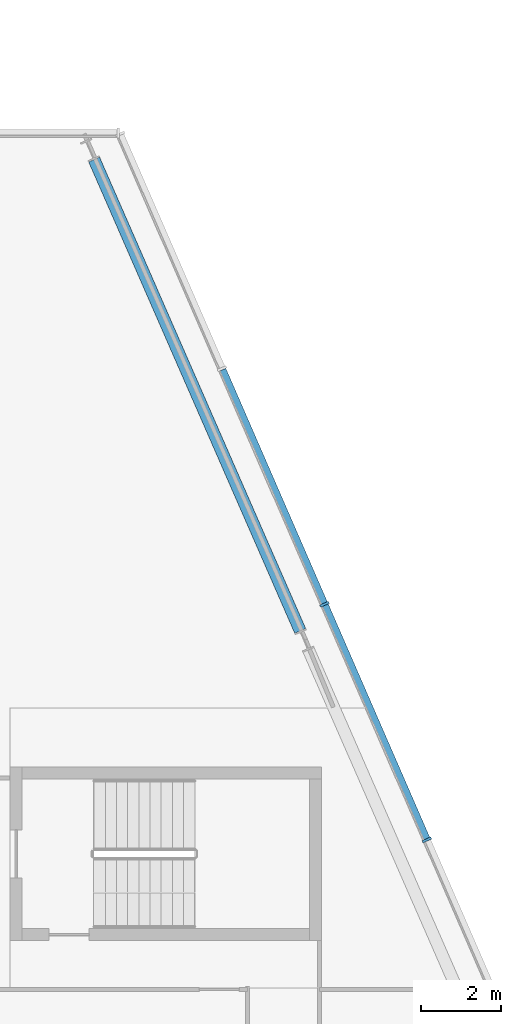
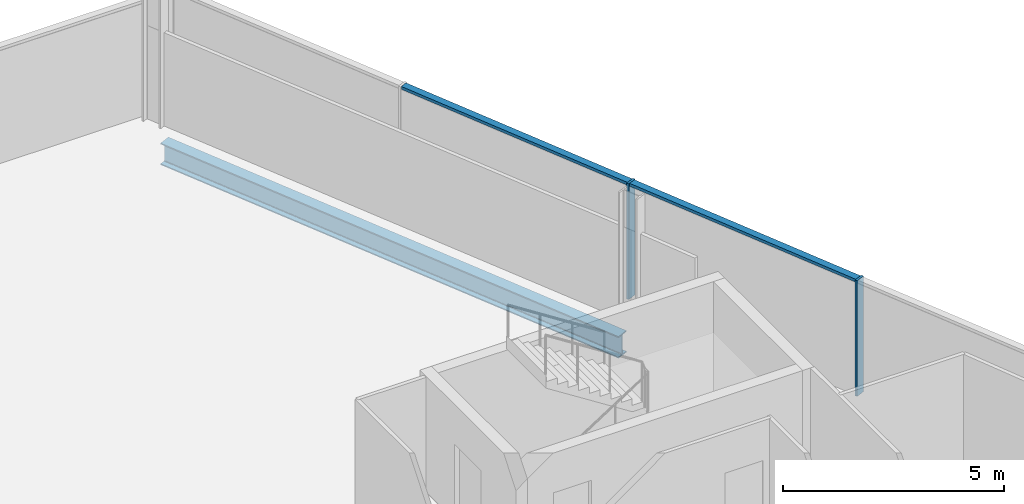
# One storey, part 8 of 22: 4 members, 1 beam, 1 element without a shape of its own.
"""IFC4 building model written with IfcOpenShell, lengths in metres."""

from ifc_helpers import new_model, si_unit, direction, frame, origin, origin_2d, place, context, subcontext, project, spatial, rectangle, i_section, extrude, material, material_profile, profile_set, type_object, element, aggregate, save


model = new_model("IFC4")

# Units and contexts
model_context = context("Model", 3, precision=1e-05, world=origin(), true_north=direction((0.0, 1.0)))
body_context = subcontext(model_context, "Body", "Model", "MODEL_VIEW")
ifc_project = project(units=[si_unit("LENGTHUNIT", "METRE"), si_unit("AREAUNIT", "SQUARE_METRE"), si_unit("VOLUMEUNIT", "CUBIC_METRE"), si_unit("PLANEANGLEUNIT", "RADIAN"), si_unit("MASSUNIT", "GRAM", prefix="KILO")], contexts=[model_context])

# Site, building, storey
site_placement = place(None, origin())
site = spatial("IfcSite", under=ifc_project, at=site_placement, CompositionType="ELEMENT")
building_placement = place(site_placement, origin())
building = spatial("IfcBuilding", under=site, at=building_placement, Name="Wharfspan Tower", CompositionType="ELEMENT")
storey_placement = place(building_placement, frame((0.0, 0.0, 246.699951)))
storey = spatial("IfcBuildingStorey", under=building, at=storey_placement, Name="L62", CompositionType="ELEMENT", Elevation=246.699951)

# Beam
ifc_material_1 = material(Name="Steel S355J2", Category="steel")
ifc_material_profile_1 = material_profile(ifc_material_1, i_section(OverallWidth=0.300049, OverallDepth=0.600098, WebThickness=0.015381, FlangeThickness=0.030029, FilletRadius=0.0271, at=origin_2d()))
ifc_profile_set_1 = profile_set([ifc_material_profile_1], Name="Steel S355J2")
beam_type = type_object("IfcBeamType", Name="Edge beam HEB 600", PredefinedType="SPANDREL", material=ifc_profile_set_1)
beam_placement = place(storey_placement, frame((74.13208, 29.53125, -0.699951), z_axis=(-0.400619, 0.916245, 0.0), x_axis=(-0.916245, -0.400619, 0.0)))
element("IfcBeam", 1, at=beam_placement, inside=storey, type_object=beam_type, Name="Edge beam E L62 PE.2 to PE.3", PredefinedType="SPANDREL", context=body_context, shape_type="SweptSolid", body=[
    extrude(i_section(OverallWidth=0.300049, OverallDepth=0.600098, WebThickness=0.015381, FlangeThickness=0.030029, FilletRadius=0.0271, at=origin_2d()), origin(), (0.0, 0.0, 1.0), 12.883545),
])

# Curtain wall, members
ifc_material_2 = material(Name="Aluminium 6063-T6", Category="aluminium")
curtain_wall_type = type_object("IfcCurtainWallType", Name="CURTAIN WALL PROW AND END", PredefinedType="NOTDEFINED", material=ifc_material_2)
curtain_wall_placement = place(storey_placement, origin())
curtain_wall = element("IfcCurtainWall", 2, at=curtain_wall_placement, inside=storey, type_object=curtain_wall_type, Name="Curtain wall E", PredefinedType="NOTDEFINED")
ifc_material_profile_2 = material_profile(ifc_material_2, rectangle(XDim=0.23999, YDim=0.060059, at=origin_2d()))
ifc_profile_set_2 = profile_set([ifc_material_profile_2], Name="Aluminium 6063-T6")
member_type_1 = type_object("IfcMemberType", Name="MULLION PROW AND END 60x240", PredefinedType="MULLION", material=ifc_profile_set_2)
member_1_placement = place(storey_placement, frame((77.304443, 24.300049, 0.0), z_axis=(0.0, 0.0, 1.0), x_axis=(-0.917072, -0.398727, 0.0)))
member_1 = element("IfcMember", 3, at=member_1_placement, type_object=member_type_1, Name="Curtain wall E mullion 4", PredefinedType="MULLION", context=body_context, shape_type="SweptSolid", body=[
    extrude(rectangle(XDim=0.23999, YDim=0.060059, at=origin_2d()), origin(), (0.0, 0.0, 1.0), 3.199951),
])
member_2_placement = place(storey_placement, frame((74.739014, 30.199951, 0.0), z_axis=(0.0, 0.0, 1.0), x_axis=(-0.917072, -0.398727, 0.0)))
member_2 = element("IfcMember", 4, at=member_2_placement, type_object=member_type_1, Name="Curtain wall E mullion 5", PredefinedType="MULLION", context=body_context, shape_type="SweptSolid", body=[
    extrude(rectangle(XDim=0.23999, YDim=0.060059, at=origin_2d()), origin(), (0.0, 0.0, 1.0), 3.199951),
])
ifc_material_profile_3 = material_profile(ifc_material_2, rectangle(XDim=0.179932, YDim=0.080078, at=origin_2d()))
ifc_profile_set_3 = profile_set([ifc_material_profile_3], Name="Aluminium 6063-T6")
member_type_2 = type_object("IfcMemberType", Name="TRANSOM PROW AND END 80x180", PredefinedType="USERDEFINED", material=ifc_profile_set_3)
member_3_placement = place(storey_placement, frame((77.29248, 24.327393, 3.160156), z_axis=(-0.39874, 0.917064, 0.0), x_axis=(-0.917064, -0.39874, 0.0)))
member_3 = element("IfcMember", 5, at=member_3_placement, type_object=member_type_2, Name="Curtain wall E transom 4", ObjectType="TRANSOM", PredefinedType="USERDEFINED", context=body_context, shape_type="SweptSolid", body=[
    extrude(rectangle(XDim=0.179932, YDim=0.080078, at=origin_2d()), origin(), (0.0, 0.0, 1.0), 6.373779),
])
member_4_placement = place(storey_placement, frame((74.727051, 30.227539, 3.160156), z_axis=(-0.398722, 0.917072, 0.0), x_axis=(-0.917072, -0.398722, 0.0)))
member_4 = element("IfcMember", 6, at=member_4_placement, type_object=member_type_2, Name="Curtain wall E transom 5", ObjectType="TRANSOM", PredefinedType="USERDEFINED", context=body_context, shape_type="SweptSolid", body=[
    extrude(rectangle(XDim=0.179932, YDim=0.080078, at=origin_2d()), origin(), (0.0, 0.0, 1.0), 6.373535),
])
aggregate(curtain_wall, [member_1, member_2, member_3, member_4])

save(model, "model.ifc")
